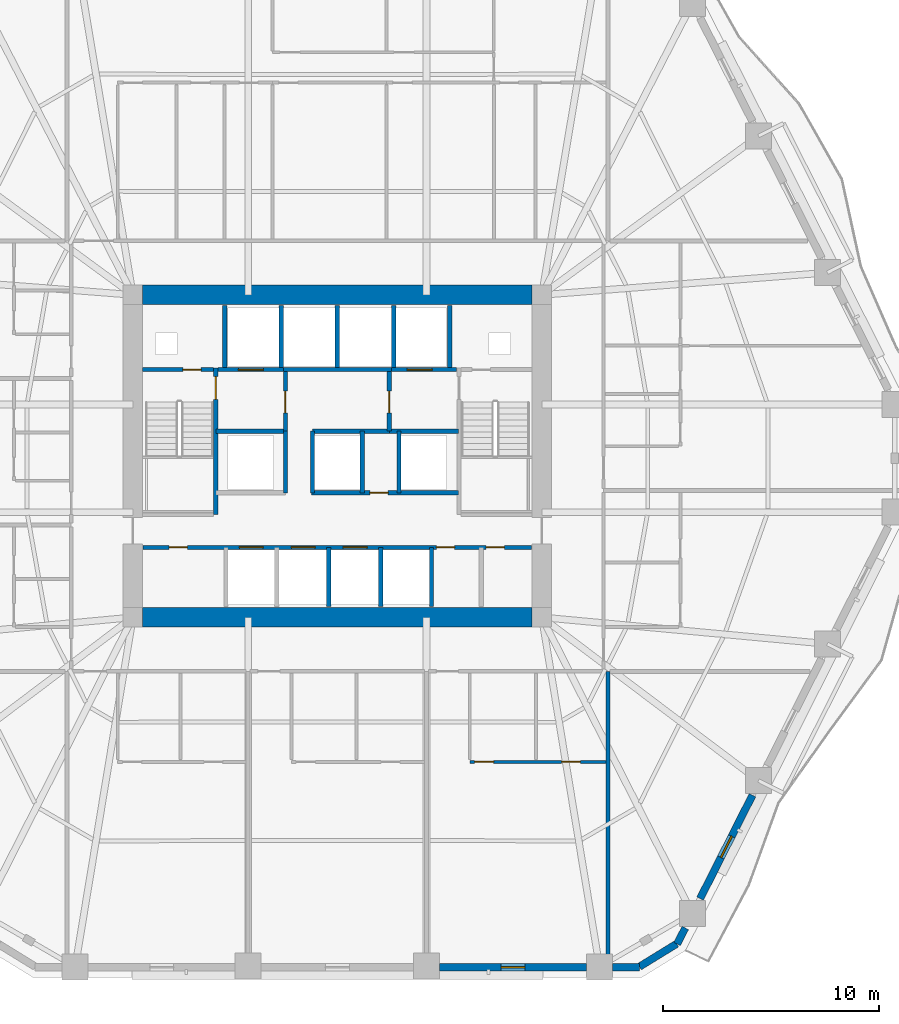
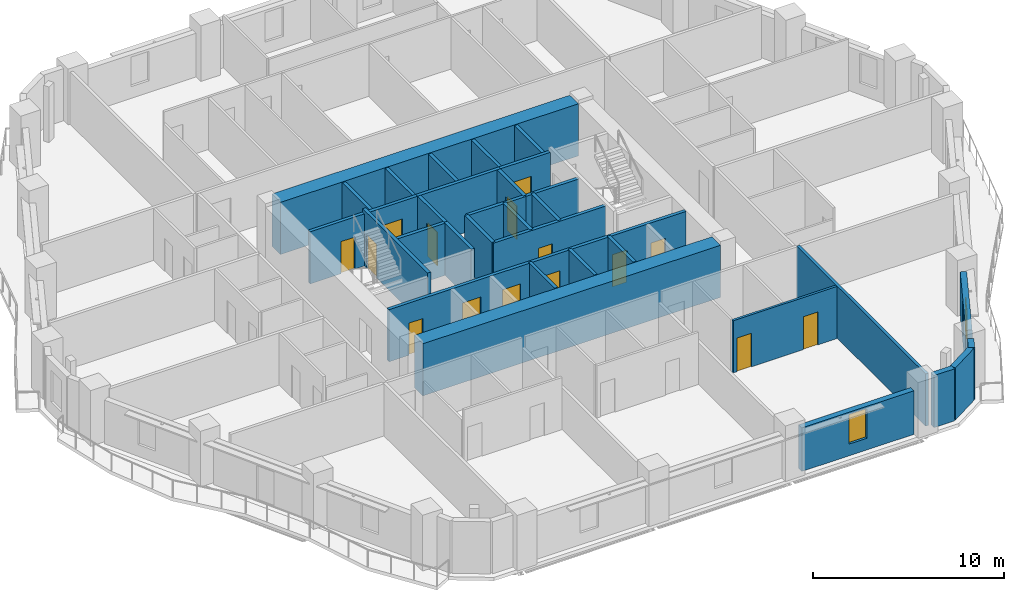
# One storey, part 5 of 14: 33 walls, 15 doors, 2 windows, 17 openings.
"""IFC4 building model written with IfcOpenShell, lengths in metres."""

from ifc_helpers import new_model, si_unit, direction, frame, frame_2d, origin, place, context, subcontext, project, spatial, rectangle, extrude, material, layer, layer_set, type_object, element, fill, save


model = new_model("IFC4")

# Units and contexts
model_context = context("Model", 3, precision=1e-05, world=origin(), true_north=direction((0.0, 1.0)))
body_context = subcontext(model_context, "Body", "Model", "MODEL_VIEW")
ifc_project = project(units=[si_unit("LENGTHUNIT", "METRE"), si_unit("AREAUNIT", "SQUARE_METRE"), si_unit("VOLUMEUNIT", "CUBIC_METRE"), si_unit("PLANEANGLEUNIT", "RADIAN"), si_unit("MASSUNIT", "GRAM", prefix="KILO")], contexts=[model_context])

# Site, building, storey
site_placement = place(None, origin())
site = spatial("IfcSite", under=ifc_project, at=site_placement, CompositionType="ELEMENT")
building_placement = place(site_placement, origin())
building = spatial("IfcBuilding", under=site, at=building_placement, Name="Cinnabar Lancet Tower", CompositionType="ELEMENT")
storey_placement = place(building_placement, frame((0.0, 0.0, 39.10009765625)))
storey = spatial("IfcBuildingStorey", under=building, at=storey_placement, Name="L09", CompositionType="ELEMENT", Elevation=39.10009765625)

# Wall
ifc_material_1 = material(Name="Fire-rated twin-frame acoustic drywall", Category="gypsum")
ifc_layer_1 = layer(ifc_material_1, 0.179931640625)
ifc_layer_set_1 = layer_set([ifc_layer_1], Name="Fire-rated twin-frame acoustic drywall")
wall_type_1 = type_object("IfcWallType", Name="ARC-WL-PARTY-180", PredefinedType="PARTITIONING", material=ifc_layer_set_1)
wall_1_placement = place(storey_placement, frame((44.89990234375, 2.455078125, 0.0), z_axis=(0.0, 0.0, 1.0), x_axis=(0.0, 1.0, 0.0)))
element("IfcWall", 1, at=wall_1_placement, inside=storey, type_object=wall_type_1, Name="PW-L09-SPTY-449", PredefinedType="PARTITIONING", context=body_context, shape_type="SweptSolid", body=[
    extrude(rectangle(XDim=13.494873046875, YDim=0.179931640625, at=frame_2d((6.74755859375, 0.0))), origin(), (0.0, 0.0, 1.0), 3.329833984375),
])

# Wall, opening, door
ifc_material_2 = material(Name="Autoclaved aerated concrete blockwork", Category="masonry")
ifc_layer_2 = layer(ifc_material_2, 0.199951171875)
ifc_layer_set_2 = layer_set([ifc_layer_2], Name="Autoclaved aerated concrete blockwork")
wall_type_2 = type_object("IfcWallType", Name="ARC-WL-SHAFT-200", PredefinedType="PLUMBINGWALL", material=ifc_layer_set_2)
wall_2_placement = place(storey_placement, frame((23.405029296875, 29.89990234375, 0.0), z_axis=(0.0, 0.0, 1.0), x_axis=(1.0, 0.0, 0.0)))
wall_2 = element("IfcWall", 2, at=wall_2_placement, inside=storey, type_object=wall_type_2, Name="CW-NSH-W-L09", PredefinedType="PLUMBINGWALL", context=body_context, shape_type="SweptSolid", body=[
    extrude(rectangle(XDim=3.27001953125, YDim=0.199951171875, at=frame_2d((1.635009765625, 0.0))), origin(), (0.0, 0.0, 1.0), 3.329833984375),
])
opening_1_placement = place(wall_2_placement, frame((1.85009765625, 0.0, 0.0)))
opening_1 = element("IfcOpeningElement", 3, at=opening_1_placement, cuts=wall_2, Name="Opening PD-02", PredefinedType="OPENING", context=body_context, shape_type="SweptSolid", body=[
    extrude(rectangle(XDim=0.85009765625, YDim=2.050048828125, at=frame_2d((0.425048828125, 1.02490234375))), frame((0.0, 0.10986328125, 0.0), z_axis=(0.0, -1.0, 0.0), x_axis=(1.0, 0.0, 0.0)), (0.0, 0.0, 1.0), 0.219970703125),
])
ifc_material_3 = material(Name="Fire-rated steel riser access door", Category="steel")
door_type_1 = type_object("IfcDoorType", Name="ARC-DR-RISER", OperationType="NOTDEFINED", PredefinedType="DOOR", material=ifc_material_3)
door_1_placement = place(opening_1_placement, origin())
door_1 = element("IfcDoor", 4, at=door_1_placement, inside=storey, type_object=door_type_1, Name="L09 West Riser Access Door", OperationType="SINGLE_SWING_LEFT", OverallHeight=2.050048828125, OverallWidth=0.85009765625, PredefinedType="DOOR", context=body_context, shape_type="SweptSolid", body=[
    extrude(rectangle(XDim=0.85009765625, YDim=2.050048828125, at=frame_2d((0.425048828125, 1.02490234375))), frame((0.0, 0.02490234375, 0.0), z_axis=(0.0, -1.0, 0.0), x_axis=(1.0, 0.0, 0.0)), (0.0, 0.0, 1.0), 0.050048828125),
])
fill(opening_1, door_1)

wall_3_placement = place(storey_placement, frame((26.885009765625, 29.89990234375, 0.0), z_axis=(0.0, 0.0, 1.0), x_axis=(1.0, 0.0, 0.0)))
wall_3 = element("IfcWall", 5, at=wall_3_placement, inside=storey, type_object=wall_type_2, Name="CW-FL1-L09", PredefinedType="PLUMBINGWALL", context=body_context, shape_type="SweptSolid", body=[
    extrude(rectangle(XDim=3.014892578125, YDim=0.199951171875, at=frame_2d((1.50732421875, 0.0))), origin(), (0.0, 0.0, 1.0), 3.329833984375),
])
opening_2_placement = place(wall_3_placement, frame((0.93994140625, 0.0, 0.0)))
opening_2 = element("IfcOpeningElement", 6, at=opening_2_placement, cuts=wall_3, Name="Opening LD-02", PredefinedType="OPENING", context=body_context, shape_type="SweptSolid", body=[
    extrude(rectangle(XDim=1.14990234375, YDim=2.199951171875, at=frame_2d((0.574951171875, 1.10009765625))), frame((0.0, 0.10986328125, 0.0), z_axis=(0.0, -1.0, 0.0), x_axis=(1.0, 0.0, 0.0)), (0.0, 0.0, 1.0), 0.219970703125),
])
ifc_material_4 = material(Name="Fire-rated stainless steel firefighting lift landing door", Category="steel")
door_type_2 = type_object("IfcDoorType", Name="ARC-DR-LD-FIRE", OperationType="NOTDEFINED", PredefinedType="DOOR", material=ifc_material_4)
door_2_placement = place(opening_2_placement, origin())
door_2 = element("IfcDoor", 7, at=door_2_placement, inside=storey, type_object=door_type_2, Name="L09 Firefighting Lift FL-1 Landing Door", OperationType="DOUBLE_DOOR_SLIDING", OverallHeight=2.199951171875, OverallWidth=1.14990234375, PredefinedType="DOOR", context=body_context, shape_type="SweptSolid", body=[
    extrude(rectangle(XDim=1.14990234375, YDim=2.199951171875, at=frame_2d((0.574951171875, 1.10009765625))), frame((0.0, 0.02490234375, 0.0), z_axis=(0.0, -1.0, 0.0), x_axis=(1.0, 0.0, 0.0)), (0.0, 0.0, 1.0), 0.050048828125),
])
fill(opening_2, door_2)

# Wall
wall_4_placement = place(storey_placement, frame((29.89990234375, 29.89990234375, 0.0), z_axis=(0.0, 0.0, 1.0), x_axis=(1.0, 0.0, 0.0)))
element("IfcWall", 8, at=wall_4_placement, inside=storey, type_object=wall_type_2, Name="CW-PL78-L09", PredefinedType="PLUMBINGWALL", context=body_context, shape_type="SweptSolid", body=[
    extrude(rectangle(XDim=5.0, YDim=0.199951171875, at=frame_2d((2.5, 0.0))), origin(), (0.0, 0.0, 1.0), 3.329833984375),
])

# Wall, opening, door
wall_5_placement = place(storey_placement, frame((34.89990234375, 29.89990234375, 0.0), z_axis=(0.0, 0.0, 1.0), x_axis=(1.0, 0.0, 0.0)))
wall_5 = element("IfcWall", 9, at=wall_5_placement, inside=storey, type_object=wall_type_2, Name="CW-FL2-L09", PredefinedType="PLUMBINGWALL", context=body_context, shape_type="SweptSolid", body=[
    extrude(rectangle(XDim=3.01513671875, YDim=0.199951171875, at=frame_2d((1.507568359375, 0.0))), origin(), (0.0, 0.0, 1.0), 3.329833984375),
])
opening_3_placement = place(wall_5_placement, frame((0.72509765625, 0.0, 0.0)))
opening_3 = element("IfcOpeningElement", 10, at=opening_3_placement, cuts=wall_5, Name="Opening LD-02", PredefinedType="OPENING", context=body_context, shape_type="SweptSolid", body=[
    extrude(rectangle(XDim=1.14990234375, YDim=2.199951171875, at=frame_2d((0.574951171875, 1.10009765625))), frame((0.0, 0.10986328125, 0.0), z_axis=(0.0, -1.0, 0.0), x_axis=(1.0, 0.0, 0.0)), (0.0, 0.0, 1.0), 0.219970703125),
])
door_3_placement = place(opening_3_placement, origin())
door_3 = element("IfcDoor", 11, at=door_3_placement, inside=storey, type_object=door_type_2, Name="L09 Firefighting Lift FL-2 Landing Door", OperationType="DOUBLE_DOOR_SLIDING", OverallHeight=2.199951171875, OverallWidth=1.14990234375, PredefinedType="DOOR", context=body_context, shape_type="SweptSolid", body=[
    extrude(rectangle(XDim=1.14990234375, YDim=2.199951171875, at=frame_2d((0.574951171875, 1.10009765625))), frame((0.0, 0.02490234375, 0.0), z_axis=(0.0, -1.0, 0.0), x_axis=(1.0, 0.0, 0.0)), (0.0, 0.0, 1.0), 0.050048828125),
])
fill(opening_3, door_3)

# Walls
for number, where, z_axis, x_axis, name in (
    (12, (27.199951171875, 30.0, 0.0), (0.0, 0.0, 1.0), (0.0, 1.0, 0.0), "CW-NSH-D1-L09"),
    (13, (29.800048828125, 30.0, 0.0), (0.0, 0.0, 1.0), (0.0, 1.0, 0.0), "CW-NSH-D2-L09"),
    (14, (32.39990234375, 30.0, 0.0), (0.0, 0.0, 1.0), (0.0, 1.0, 0.0), "CW-NSH-D3-L09"),
    (15, (35.0, 30.0, 0.0), (0.0, 0.0, 1.0), (0.0, 1.0, 0.0), "CW-NSH-D4-L09"),
    (16, (37.60009765625, 30.0, 0.0), (0.0, 0.0, 1.0), (0.0, 1.0, 0.0), "CW-NSH-D5-L09"),
):
    element("IfcWall", number, at=place(storey_placement, frame(where, z_axis=z_axis, x_axis=x_axis)), inside=storey, type_object=wall_type_2, Name=name, PredefinedType="PLUMBINGWALL", context=body_context, shape_type="SweptSolid", body=[
        extrude(rectangle(XDim=2.85009765625, YDim=0.199951171875, at=frame_2d((1.425048828125, 0.0))), origin(), (0.0, 0.0, 1.0), 3.329833984375),
    ])

# Wall, opening, door
wall_6_placement = place(storey_placement, frame((30.0, 27.050048828125, 0.0), z_axis=(0.0, 0.0, 1.0), x_axis=(0.0, 1.0, 0.0)))
wall_6 = element("IfcWall", 17, at=wall_6_placement, inside=storey, type_object=wall_type_2, Name="CW-FF1E-L09", PredefinedType="PLUMBINGWALL", context=body_context, shape_type="SweptSolid", body=[
    extrude(rectangle(XDim=2.75, YDim=0.199951171875, at=frame_2d((1.375, 0.0))), origin(), (0.0, 0.0, 1.0), 3.329833984375),
])
opening_4_placement = place(wall_6_placement, frame((0.85009765625, 0.0, 0.0)))
opening_4 = element("IfcOpeningElement", 18, at=opening_4_placement, cuts=wall_6, Name="Opening FD-01", PredefinedType="OPENING", context=body_context, shape_type="SweptSolid", body=[
    extrude(rectangle(XDim=1.0, YDim=2.14990234375, at=frame_2d((0.5, 1.074951171875))), frame((0.0, 0.10986328125, 0.0), z_axis=(0.0, -1.0, 0.0), x_axis=(1.0, 0.0, 0.0)), (0.0, 0.0, 1.0), 0.219970703125),
])
ifc_material_5 = material(Name="Fire-rated timber-core lobby door", Category="wood")
door_type_3 = type_object("IfcDoorType", Name="ARC-DR-FFAL", OperationType="NOTDEFINED", PredefinedType="DOOR", material=ifc_material_5)
door_4_placement = place(opening_4_placement, origin())
door_4 = element("IfcDoor", 19, at=door_4_placement, inside=storey, type_object=door_type_3, Name="L09 FFAL-1 Lobby Fire Door", OperationType="SINGLE_SWING_RIGHT", OverallHeight=2.14990234375, OverallWidth=1.0, PredefinedType="DOOR", context=body_context, shape_type="SweptSolid", body=[
    extrude(rectangle(XDim=1.0, YDim=2.14990234375, at=frame_2d((0.5, 1.074951171875))), frame((0.0, 0.02490234375, 0.0), z_axis=(0.0, -1.0, 0.0), x_axis=(1.0, 0.0, 0.0)), (0.0, 0.0, 1.0), 0.050048828125),
])
fill(opening_4, door_4)

# Wall
wall_7_placement = place(storey_placement, frame((26.800048828125, 27.050048828125, 0.0), z_axis=(0.0, 0.0, 1.0), x_axis=(1.0, 0.0, 0.0)))
element("IfcWall", 20, at=wall_7_placement, inside=storey, type_object=wall_type_2, Name="CW-FF1S-L09", PredefinedType="PLUMBINGWALL", context=body_context, shape_type="SweptSolid", body=[
    extrude(rectangle(XDim=3.199951171875, YDim=0.199951171875, at=frame_2d((1.60009765625, 0.0))), origin(), (0.0, 0.0, 1.0), 3.329833984375),
])

# Wall, opening, door
wall_8_placement = place(storey_placement, frame((34.800048828125, 27.050048828125, 0.0), z_axis=(0.0, 0.0, 1.0), x_axis=(0.0, 1.0, 0.0)))
wall_8 = element("IfcWall", 21, at=wall_8_placement, inside=storey, type_object=wall_type_2, Name="CW-FF2W-L09", PredefinedType="PLUMBINGWALL", context=body_context, shape_type="SweptSolid", body=[
    extrude(rectangle(XDim=2.75, YDim=0.199951171875, at=frame_2d((1.375, 0.0))), origin(), (0.0, 0.0, 1.0), 3.329833984375),
])
opening_5_placement = place(wall_8_placement, frame((0.85009765625, 0.0, 0.0)))
opening_5 = element("IfcOpeningElement", 22, at=opening_5_placement, cuts=wall_8, Name="Opening FD-01", PredefinedType="OPENING", context=body_context, shape_type="SweptSolid", body=[
    extrude(rectangle(XDim=1.0, YDim=2.14990234375, at=frame_2d((0.5, 1.074951171875))), frame((0.0, 0.10986328125, 0.0), z_axis=(0.0, -1.0, 0.0), x_axis=(1.0, 0.0, 0.0)), (0.0, 0.0, 1.0), 0.219970703125),
])
door_5_placement = place(opening_5_placement, origin())
door_5 = element("IfcDoor", 23, at=door_5_placement, inside=storey, type_object=door_type_3, Name="L09 FFAL-2 Lobby Fire Door", OperationType="SINGLE_SWING_LEFT", OverallHeight=2.14990234375, OverallWidth=1.0, PredefinedType="DOOR", context=body_context, shape_type="SweptSolid", body=[
    extrude(rectangle(XDim=1.0, YDim=2.14990234375, at=frame_2d((0.5, 1.074951171875))), frame((0.0, 0.02490234375, 0.0), z_axis=(0.0, -1.0, 0.0), x_axis=(1.0, 0.0, 0.0)), (0.0, 0.0, 1.0), 0.050048828125),
])
fill(opening_5, door_5)

# Walls
wall_9_placement = place(storey_placement, frame((34.800048828125, 27.050048828125, 0.0), z_axis=(0.0, 0.0, 1.0), x_axis=(1.0, 0.0, 0.0)))
element("IfcWall", 24, at=wall_9_placement, inside=storey, type_object=wall_type_2, Name="CW-FF2S-L09", PredefinedType="PLUMBINGWALL", context=body_context, shape_type="SweptSolid", body=[
    extrude(rectangle(XDim=3.199951171875, YDim=0.199951171875, at=frame_2d((1.60009765625, 0.0))), origin(), (0.0, 0.0, 1.0), 3.329833984375),
])
wall_10_placement = place(storey_placement, frame((30.0, 24.199951171875, 0.0), z_axis=(0.0, 0.0, 1.0), x_axis=(0.0, 1.0, 0.0)))
element("IfcWall", 25, at=wall_10_placement, inside=storey, type_object=wall_type_2, Name="CW-PL5E-L09", PredefinedType="PLUMBINGWALL", context=body_context, shape_type="SweptSolid", body=[
    extrude(rectangle(XDim=2.85009765625, YDim=0.199951171875, at=frame_2d((1.425048828125, 0.0))), origin(), (0.0, 0.0, 1.0), 3.329833984375),
])

# Wall, opening, door
wall_11_placement = place(storey_placement, frame((31.199951171875, 24.199951171875, 0.0), z_axis=(0.0, 0.0, 1.0), x_axis=(1.0, 0.0, 0.0)))
wall_11 = element("IfcWall", 26, at=wall_11_placement, inside=storey, type_object=wall_type_2, Name="CW-PL96S-L09", PredefinedType="PLUMBINGWALL", context=body_context, shape_type="SweptSolid", body=[
    extrude(rectangle(XDim=6.800048828125, YDim=0.199951171875, at=frame_2d((3.39990234375, 0.0))), origin(), (0.0, 0.0, 1.0), 3.329833984375),
])
opening_6_placement = place(wall_11_placement, frame((2.699951171875, 0.0, 0.0)))
opening_6 = element("IfcOpeningElement", 27, at=opening_6_placement, cuts=wall_11, Name="Opening PD-02", PredefinedType="OPENING", context=body_context, shape_type="SweptSolid", body=[
    extrude(rectangle(XDim=0.85009765625, YDim=2.050048828125, at=frame_2d((0.425048828125, 1.02490234375))), frame((0.0, 0.10986328125, 0.0), z_axis=(0.0, -1.0, 0.0), x_axis=(1.0, 0.0, 0.0)), (0.0, 0.0, 1.0), 0.219970703125),
])
door_6_placement = place(opening_6_placement, origin())
door_6 = element("IfcDoor", 28, at=door_6_placement, inside=storey, type_object=door_type_1, Name="L09 BMS Closet Door", OperationType="SINGLE_SWING_LEFT", OverallHeight=2.050048828125, OverallWidth=0.85009765625, PredefinedType="DOOR", context=body_context, shape_type="SweptSolid", body=[
    extrude(rectangle(XDim=0.85009765625, YDim=2.050048828125, at=frame_2d((0.425048828125, 1.02490234375))), frame((0.0, 0.02490234375, 0.0), z_axis=(0.0, -1.0, 0.0), x_axis=(1.0, 0.0, 0.0)), (0.0, 0.0, 1.0), 0.050048828125),
])
fill(opening_6, door_6)

# Walls
for number, where, z_axis, x_axis, name in (
    (29, (31.25, 24.199951171875, 0.0), (0.0, 0.0, 1.0), (0.0, 1.0, 0.0), "CW-PL9W-L09"),
    (30, (33.550048828125, 24.199951171875, 0.0), (0.0, 0.0, 1.0), (0.0, 1.0, 0.0), "CW-PL9E-L09"),
    (31, (35.25, 24.199951171875, 0.0), (0.0, 0.0, 1.0), (0.0, 1.0, 0.0), "CW-PL6W-L09"),
):
    element("IfcWall", number, at=place(storey_placement, frame(where, z_axis=z_axis, x_axis=x_axis)), inside=storey, type_object=wall_type_2, Name=name, PredefinedType="PLUMBINGWALL", context=body_context, shape_type="SweptSolid", body=[
        extrude(rectangle(XDim=2.85009765625, YDim=0.199951171875, at=frame_2d((1.425048828125, 0.0))), origin(), (0.0, 0.0, 1.0), 3.329833984375),
    ])
wall_12_placement = place(storey_placement, frame((31.25, 27.050048828125, 0.0), z_axis=(0.0, 0.0, 1.0), x_axis=(1.0, 0.0, 0.0)))
element("IfcWall", 32, at=wall_12_placement, inside=storey, type_object=wall_type_2, Name="CW-PL96N-L09", PredefinedType="PLUMBINGWALL", context=body_context, shape_type="SweptSolid", body=[
    extrude(rectangle(XDim=3.550048828125, YDim=0.199951171875, at=frame_2d((1.77490234375, 0.0))), origin(), (0.0, 0.0, 1.0), 3.329833984375),
])

# Wall, openings, doors
wall_13_placement = place(storey_placement, frame((23.419921875, 21.679931640625, 0.0), z_axis=(0.0, 0.0, 1.0), x_axis=(1.0, 0.0, 0.0)))
wall_13 = element("IfcWall", 33, at=wall_13_placement, inside=storey, type_object=wall_type_2, Name="CW-SBANDN-L09", PredefinedType="PLUMBINGWALL", context=body_context, shape_type="SweptSolid", body=[
    extrude(rectangle(XDim=17.9599609375, YDim=0.199951171875, at=frame_2d((8.97998046875, 0.0))), origin(), (0.0, 0.0, 1.0), 3.329833984375),
])
opening_7_placement = place(wall_13_placement, frame((4.449951171875, 0.0, 0.0)))
opening_7 = element("IfcOpeningElement", 34, at=opening_7_placement, cuts=wall_13, Name="Opening LD-01", PredefinedType="OPENING", context=body_context, shape_type="SweptSolid", body=[
    extrude(rectangle(XDim=1.10009765625, YDim=2.199951171875, at=frame_2d((0.550048828125, 1.10009765625))), frame((0.0, 0.10986328125, 0.0), z_axis=(0.0, -1.0, 0.0), x_axis=(1.0, 0.0, 0.0)), (0.0, 0.0, 1.0), 0.219970703125),
])
opening_8_placement = place(wall_13_placement, frame((6.85009765625, 0.0, 0.0)))
opening_8 = element("IfcOpeningElement", 35, at=opening_8_placement, cuts=wall_13, Name="Opening LD-01", PredefinedType="OPENING", context=body_context, shape_type="SweptSolid", body=[
    extrude(rectangle(XDim=1.10009765625, YDim=2.199951171875, at=frame_2d((0.550048828125, 1.10009765625))), frame((0.0, 0.10986328125, 0.0), z_axis=(0.0, -1.0, 0.0), x_axis=(1.0, 0.0, 0.0)), (0.0, 0.0, 1.0), 0.219970703125),
])
opening_9_placement = place(wall_13_placement, frame((9.25, 0.0, 0.0)))
opening_9 = element("IfcOpeningElement", 36, at=opening_9_placement, cuts=wall_13, Name="Opening LD-01", PredefinedType="OPENING", context=body_context, shape_type="SweptSolid", body=[
    extrude(rectangle(XDim=1.10009765625, YDim=2.199951171875, at=frame_2d((0.550048828125, 1.10009765625))), frame((0.0, 0.10986328125, 0.0), z_axis=(0.0, -1.0, 0.0), x_axis=(1.0, 0.0, 0.0)), (0.0, 0.0, 1.0), 0.219970703125),
])
opening_10_placement = place(wall_13_placement, frame((1.199951171875, 0.0, 0.0)))
opening_10 = element("IfcOpeningElement", 37, at=opening_10_placement, cuts=wall_13, Name="Opening PD-02", PredefinedType="OPENING", context=body_context, shape_type="SweptSolid", body=[
    extrude(rectangle(XDim=0.85009765625, YDim=2.050048828125, at=frame_2d((0.425048828125, 1.02490234375))), frame((0.0, 0.10986328125, 0.0), z_axis=(0.0, -1.0, 0.0), x_axis=(1.0, 0.0, 0.0)), (0.0, 0.0, 1.0), 0.219970703125),
])
opening_11_placement = place(wall_13_placement, frame((13.550048828125, 0.0, 0.0)))
opening_11 = element("IfcOpeningElement", 38, at=opening_11_placement, cuts=wall_13, Name="Opening PD-02", PredefinedType="OPENING", context=body_context, shape_type="SweptSolid", body=[
    extrude(rectangle(XDim=0.85009765625, YDim=2.050048828125, at=frame_2d((0.425048828125, 1.02490234375))), frame((0.0, 0.10986328125, 0.0), z_axis=(0.0, -1.0, 0.0), x_axis=(1.0, 0.0, 0.0)), (0.0, 0.0, 1.0), 0.219970703125),
])
opening_12_placement = place(wall_13_placement, frame((15.85009765625, 0.0, 0.0)))
opening_12 = element("IfcOpeningElement", 39, at=opening_12_placement, cuts=wall_13, Name="Opening PD-02", PredefinedType="OPENING", context=body_context, shape_type="SweptSolid", body=[
    extrude(rectangle(XDim=0.85009765625, YDim=2.050048828125, at=frame_2d((0.425048828125, 1.02490234375))), frame((0.0, 0.10986328125, 0.0), z_axis=(0.0, -1.0, 0.0), x_axis=(1.0, 0.0, 0.0)), (0.0, 0.0, 1.0), 0.219970703125),
])
ifc_material_6 = material(Name="Brushed stainless steel sliding lift door", Category="steel")
door_type_4 = type_object("IfcDoorType", Name="ARC-DR-LD-PASS", OperationType="NOTDEFINED", PredefinedType="DOOR", material=ifc_material_6)
door_7_placement = place(opening_7_placement, origin())
door_7 = element("IfcDoor", 40, at=door_7_placement, inside=storey, type_object=door_type_4, Name="L09 Lift PL-1 Landing Door", OperationType="DOUBLE_DOOR_SLIDING", OverallHeight=2.199951171875, OverallWidth=1.10009765625, PredefinedType="DOOR", context=body_context, shape_type="SweptSolid", body=[
    extrude(rectangle(XDim=1.10009765625, YDim=2.199951171875, at=frame_2d((0.550048828125, 1.10009765625))), frame((0.0, 0.02490234375, 0.0), z_axis=(0.0, -1.0, 0.0), x_axis=(1.0, 0.0, 0.0)), (0.0, 0.0, 1.0), 0.050048828125),
])
fill(opening_7, door_7)
door_8_placement = place(opening_8_placement, origin())
door_8 = element("IfcDoor", 41, at=door_8_placement, inside=storey, type_object=door_type_4, Name="L09 Lift PL-2 Landing Door", OperationType="DOUBLE_DOOR_SLIDING", OverallHeight=2.199951171875, OverallWidth=1.10009765625, PredefinedType="DOOR", context=body_context, shape_type="SweptSolid", body=[
    extrude(rectangle(XDim=1.10009765625, YDim=2.199951171875, at=frame_2d((0.550048828125, 1.10009765625))), frame((0.0, 0.02490234375, 0.0), z_axis=(0.0, -1.0, 0.0), x_axis=(1.0, 0.0, 0.0)), (0.0, 0.0, 1.0), 0.050048828125),
])
fill(opening_8, door_8)
door_9_placement = place(opening_9_placement, origin())
door_9 = element("IfcDoor", 42, at=door_9_placement, inside=storey, type_object=door_type_4, Name="L09 Lift PL-3 Landing Door", OperationType="DOUBLE_DOOR_SLIDING", OverallHeight=2.199951171875, OverallWidth=1.10009765625, PredefinedType="DOOR", context=body_context, shape_type="SweptSolid", body=[
    extrude(rectangle(XDim=1.10009765625, YDim=2.199951171875, at=frame_2d((0.550048828125, 1.10009765625))), frame((0.0, 0.02490234375, 0.0), z_axis=(0.0, -1.0, 0.0), x_axis=(1.0, 0.0, 0.0)), (0.0, 0.0, 1.0), 0.050048828125),
])
fill(opening_9, door_9)
door_10_placement = place(opening_10_placement, origin())
door_10 = element("IfcDoor", 43, at=door_10_placement, inside=storey, type_object=door_type_1, Name="DR-L09-SW1", OperationType="SINGLE_SWING_LEFT", OverallHeight=2.050048828125, OverallWidth=0.85009765625, PredefinedType="DOOR", context=body_context, shape_type="SweptSolid", body=[
    extrude(rectangle(XDim=0.85009765625, YDim=2.050048828125, at=frame_2d((0.425048828125, 1.02490234375))), frame((0.0, 0.02490234375, 0.0), z_axis=(0.0, -1.0, 0.0), x_axis=(1.0, 0.0, 0.0)), (0.0, 0.0, 1.0), 0.050048828125),
])
fill(opening_10, door_10)
door_11_placement = place(opening_11_placement, origin())
door_11 = element("IfcDoor", 44, at=door_11_placement, inside=storey, type_object=door_type_1, Name="DR-L09-SE1", OperationType="SINGLE_SWING_LEFT", OverallHeight=2.050048828125, OverallWidth=0.85009765625, PredefinedType="DOOR", context=body_context, shape_type="SweptSolid", body=[
    extrude(rectangle(XDim=0.85009765625, YDim=2.050048828125, at=frame_2d((0.425048828125, 1.02490234375))), frame((0.0, 0.02490234375, 0.0), z_axis=(0.0, -1.0, 0.0), x_axis=(1.0, 0.0, 0.0)), (0.0, 0.0, 1.0), 0.050048828125),
])
fill(opening_11, door_11)
door_12_placement = place(opening_12_placement, origin())
door_12 = element("IfcDoor", 45, at=door_12_placement, inside=storey, type_object=door_type_1, Name="DR-L09-SE2", OperationType="SINGLE_SWING_RIGHT", OverallHeight=2.050048828125, OverallWidth=0.85009765625, PredefinedType="DOOR", context=body_context, shape_type="SweptSolid", body=[
    extrude(rectangle(XDim=0.85009765625, YDim=2.050048828125, at=frame_2d((0.425048828125, 1.02490234375))), frame((0.0, 0.02490234375, 0.0), z_axis=(0.0, -1.0, 0.0), x_axis=(1.0, 0.0, 0.0)), (0.0, 0.0, 1.0), 0.050048828125),
])
fill(opening_12, door_12)

# Walls
for number, where, z_axis, x_axis, name in (
    (46, (32.0, 18.949951171875, 0.0), (0.0, 0.0, 1.0), (0.0, 1.0, 0.0), "CW-SB-3200-L09"),
    (47, (34.39990234375, 18.949951171875, 0.0), (0.0, 0.0, 1.0), (0.0, 1.0, 0.0), "CW-SB-3440-L09"),
    (48, (36.75, 18.949951171875, 0.0), (0.0, 0.0, 1.0), (0.0, 1.0, 0.0), "CW-SB-3675-L09"),
):
    element("IfcWall", number, at=place(storey_placement, frame(where, z_axis=z_axis, x_axis=x_axis)), inside=storey, type_object=wall_type_2, Name=name, PredefinedType="PLUMBINGWALL", context=body_context, shape_type="SweptSolid", body=[
        extrude(rectangle(XDim=2.72998046875, YDim=0.199951171875, at=frame_2d((1.364990234375, 0.0))), origin(), (0.0, 0.0, 1.0), 3.329833984375),
    ])

# Wall, openings, doors
ifc_material_7 = material(Name="Moisture-resistant cement-board plumbing wall", Category="masonry")
ifc_layer_3 = layer(ifc_material_7, 0.139892578125)
ifc_layer_set_3 = layer_set([ifc_layer_3], Name="Moisture-resistant cement-board plumbing wall")
wall_type_3 = type_object("IfcWallType", Name="ARC-WL-WET-140", PredefinedType="PLUMBINGWALL", material=ifc_layer_set_3)
wall_14_placement = place(storey_placement, frame((38.52197265625, 11.76708984375, 0.0), z_axis=(0.0, 0.0, 1.0), x_axis=(1.0, 0.0, 0.0)))
wall_14 = element("IfcWall", 49, at=wall_14_placement, inside=storey, type_object=wall_type_3, Name="UW-L09-S03-SPL", PredefinedType="PLUMBINGWALL", context=body_context, shape_type="SweptSolid", body=[
    extrude(rectangle(XDim=6.282958984375, YDim=0.139892578125, at=frame_2d((3.1416015625, 0.0))), origin(), (0.0, 0.0, 1.0), 3.329833984375),
])
opening_13_placement = place(wall_14_placement, frame((4.2470703125, 0.0, 0.0)))
opening_13 = element("IfcOpeningElement", 50, at=opening_13_placement, cuts=wall_14, Name="Opening BD-01", PredefinedType="OPENING", context=body_context, shape_type="SweptSolid", body=[
    extrude(rectangle(XDim=0.860107421875, YDim=2.10009765625, at=frame_2d((0.43017578125, 1.050048828125))), frame((0.0, 0.079833984375, 0.0), z_axis=(0.0, -1.0, 0.0), x_axis=(1.0, 0.0, 0.0)), (0.0, 0.0, 1.0), 0.159912109375),
])
opening_14_placement = place(wall_14_placement, frame((0.219970703125, 0.0, 0.0)))
opening_14 = element("IfcOpeningElement", 51, at=opening_14_placement, cuts=wall_14, Name="Opening RD-02", PredefinedType="OPENING", context=body_context, shape_type="SweptSolid", body=[
    extrude(rectangle(XDim=0.8798828125, YDim=2.14990234375, at=frame_2d((0.43994140625, 1.074951171875))), frame((0.0, 0.079833984375, 0.0), z_axis=(0.0, -1.0, 0.0), x_axis=(1.0, 0.0, 0.0)), (0.0, 0.0, 1.0), 0.159912109375),
])
ifc_material_8 = material(Name="Moisture-resistant timber bathroom door", Category="wood")
door_type_5 = type_object("IfcDoorType", Name="ARC-DR-BATH", OperationType="NOTDEFINED", PredefinedType="DOOR", material=ifc_material_8)
door_13_placement = place(opening_13_placement, origin())
door_13 = element("IfcDoor", 52, at=door_13_placement, inside=storey, type_object=door_type_5, Name="DR-L09-S03-BTH", OperationType="SINGLE_SWING_LEFT", OverallHeight=2.10009765625, OverallWidth=0.860107421875, PredefinedType="DOOR", context=body_context, shape_type="SweptSolid", body=[
    extrude(rectangle(XDim=0.860107421875, YDim=2.10009765625, at=frame_2d((0.43017578125, 1.050048828125))), frame((0.0, 0.02490234375, 0.0), z_axis=(0.0, -1.0, 0.0), x_axis=(1.0, 0.0, 0.0)), (0.0, 0.0, 1.0), 0.050048828125),
])
fill(opening_13, door_13)
ifc_material_9 = material(Name="Engineered timber study door", Category="wood")
door_type_6 = type_object("IfcDoorType", Name="ARC-DR-STUDY", OperationType="NOTDEFINED", PredefinedType="DOOR", material=ifc_material_9)
door_14_placement = place(opening_14_placement, origin())
door_14 = element("IfcDoor", 53, at=door_14_placement, inside=storey, type_object=door_type_6, Name="DR-L09-S03-KIT", OperationType="SINGLE_SWING_RIGHT", OverallHeight=2.14990234375, OverallWidth=0.8798828125, PredefinedType="DOOR", context=body_context, shape_type="SweptSolid", body=[
    extrude(rectangle(XDim=0.8798828125, YDim=2.14990234375, at=frame_2d((0.43994140625, 1.074951171875))), frame((0.0, 0.02490234375, 0.0), z_axis=(0.0, -1.0, 0.0), x_axis=(1.0, 0.0, 0.0)), (0.0, 0.0, 1.0), 0.050048828125),
])
fill(opening_14, door_14)

# Wall
ifc_material_10 = material(Name="Cinnabar red clay brick", Category="masonry")
ifc_layer_4 = layer(ifc_material_10, 0.340087890625)
ifc_layer_set_4 = layer_set([ifc_layer_4], Name="Cinnabar red clay brick")
wall_type_4 = type_object("IfcWallType", Name="ENV-WL-BRK-RED-340", PredefinedType="STANDARD", material=ifc_layer_set_4)
wall_15_placement = place(storey_placement, frame((46.361083984375, 2.304931640625, 0.0), z_axis=(0.0, 0.0, 1.0), x_axis=(0.851816122478, 0.523840904748, 0.0)))
element("IfcWall", 54, at=wall_15_placement, inside=storey, type_object=wall_type_4, Name="L09 Chamfered Corner Brick Pier 2.1", PredefinedType="STANDARD", context=body_context, shape_type="SweptSolid", body=[
    extrude(rectangle(XDim=2.01806640625, YDim=0.340087890625, at=frame_2d((1.009033203125, 0.0))), origin(), (0.0, 0.0, 1.0), 3.329833984375),
])

# Wall, opening, window
wall_16_placement = place(storey_placement, frame((37.1259765625, 2.280029296875, 0.0), z_axis=(0.0, 0.0, 1.0), x_axis=(1.0, 0.0, 0.0)))
wall_16 = element("IfcWall", 55, at=wall_16_placement, inside=storey, type_object=wall_type_4, Name="L09 Face 1 Masonry Bay Wall 4", PredefinedType="STANDARD", context=body_context, shape_type="SweptSolid", body=[
    extrude(rectangle(XDim=6.787109375, YDim=0.340087890625, at=frame_2d((3.3935546875, 0.0))), origin(), (0.0, 0.0, 1.0), 2.786865234375),
])
opening_15_placement = place(wall_16_placement, frame((2.843017578125, 0.0, 0.75)))
opening_15 = element("IfcOpeningElement", 56, at=opening_15_placement, cuts=wall_16, Name="Opening WN-04", PredefinedType="OPENING", context=body_context, shape_type="SweptSolid", body=[
    extrude(rectangle(XDim=1.10009765625, YDim=1.886962890625, at=frame_2d((0.550048828125, 0.943359375))), frame((0.0, 0.179931640625, 0.0), z_axis=(0.0, -1.0, 0.0), x_axis=(1.0, 0.0, 0.0)), (0.0, 0.0, 1.0), 0.360107421875),
])
ifc_material_11 = material(Name="Thermally broken bronze-anodized aluminium tall lancet window", Category="aluminium")
window_type = type_object("IfcWindowType", Name="ENV-WN-LANCET-1100", PartitioningType="SINGLE_PANEL", PredefinedType="WINDOW", material=ifc_material_11)
window_1_placement = place(opening_15_placement, origin())
window_1 = element("IfcWindow", 57, at=window_1_placement, inside=storey, type_object=window_type, Name="L09 Face 1 Gothic Lancet Window 4", OverallHeight=1.886962890625, OverallWidth=1.10009765625, PartitioningType="SINGLE_PANEL", PredefinedType="WINDOW", context=body_context, shape_type="SweptSolid", body=[
    extrude(rectangle(XDim=1.10009765625, YDim=1.886962890625, at=frame_2d((0.550048828125, 0.943359375))), frame((0.0, 0.030029296875, 0.0), z_axis=(0.0, -1.0, 0.0), x_axis=(1.0, 0.0, 0.0)), (0.0, 0.0, 1.0), 0.06005859375),
])
fill(opening_15, window_1)

# Walls
wall_17_placement = place(storey_placement, frame((45.12109375, 2.280029296875, 0.0), z_axis=(0.0, 0.0, 1.0), x_axis=(1.0, 0.0, 0.0)))
element("IfcWall", 58, at=wall_17_placement, inside=storey, type_object=wall_type_4, Name="L09 Face 1 Masonry Bay Wall 5", PredefinedType="STANDARD", context=body_context, shape_type="SweptSolid", body=[
    extrude(rectangle(XDim=1.244873046875, YDim=0.340087890625, at=frame_2d((0.62255859375, 0.0))), origin(), (0.0, 0.0, 1.0), 3.329833984375),
])
wall_18_placement = place(storey_placement, frame((48.10009765625, 3.345947265625, 0.0), z_axis=(0.0, 0.0, 1.0), x_axis=(0.45187807258, 0.892079709175, 0.0)))
element("IfcWall", 59, at=wall_18_placement, inside=storey, type_object=wall_type_4, Name="L09 Face 2 Masonry Bay Wall 1", PredefinedType="STANDARD", context=body_context, shape_type="SweptSolid", body=[
    extrude(rectangle(XDim=0.83642578125, YDim=0.340087890625, at=frame_2d((0.418212890625, 0.0))), origin(), (0.0, 0.0, 1.0), 3.329833984375),
])

# Wall, opening, window
wall_19_placement = place(storey_placement, frame((49.166015625, 5.4541015625, 0.0), z_axis=(0.0, 0.0, 1.0), x_axis=(0.451697561555, 0.892171123095, 0.0)))
wall_19 = element("IfcWall", 60, at=wall_19_placement, inside=storey, type_object=wall_type_4, Name="L09 Face 2 Masonry Bay Wall 2", PredefinedType="STANDARD", context=body_context, shape_type="SweptSolid", body=[
    extrude(rectangle(XDim=5.350830078125, YDim=0.340087890625, at=frame_2d((2.67529296875, 0.0))), origin(), (0.0, 0.0, 1.0), 2.786865234375),
])
opening_16_placement = place(wall_19_placement, frame((2.125, 0.0, 0.75)))
opening_16 = element("IfcOpeningElement", 61, at=opening_16_placement, cuts=wall_19, Name="Opening WN-04", PredefinedType="OPENING", context=body_context, shape_type="SweptSolid", body=[
    extrude(rectangle(XDim=1.10009765625, YDim=1.886962890625, at=frame_2d((0.550048828125, 0.943359375))), frame((0.0, 0.179931640625, 0.0), z_axis=(0.0, -1.0, 0.0), x_axis=(1.0, 0.0, 0.0)), (0.0, 0.0, 1.0), 0.360107421875),
])
window_2_placement = place(opening_16_placement, origin())
window_2 = element("IfcWindow", 62, at=window_2_placement, inside=storey, type_object=window_type, Name="L09 Face 2 Gothic Lancet Window 2", OverallHeight=1.886962890625, OverallWidth=1.10009765625, PartitioningType="SINGLE_PANEL", PredefinedType="WINDOW", context=body_context, shape_type="SweptSolid", body=[
    extrude(rectangle(XDim=1.10009765625, YDim=1.886962890625, at=frame_2d((0.550048828125, 0.943359375))), frame((0.0, 0.030029296875, 0.0), z_axis=(0.0, -1.0, 0.0), x_axis=(1.0, 0.0, 0.0)), (0.0, 0.0, 1.0), 0.06005859375),
])
fill(opening_16, window_2)

# Walls
ifc_material_12 = material(Name="Concrete C80/95", Category="concrete")
ifc_layer_5 = layer(ifc_material_12, 0.89990234375)
ifc_layer_set_5 = layer_set([ifc_layer_5], Name="Concrete C80/95")
wall_type_5 = type_object("IfcWallType", Name="STR-WL-CORE-900", PredefinedType="SHEAR", material=ifc_layer_set_5)
for number, where, z_axis, x_axis, name in (
    (63, (23.39990234375, 18.449951171875, 0.0), (0.0, 0.0, 1.0), (1.0, 0.0, 0.0), "L09 Core Shear Wall S"),
    (64, (23.39990234375, 33.35009765625, 0.0), (0.0, 0.0, 1.0), (1.0, 0.0, 0.0), "L09 Core Shear Wall N"),
):
    element("IfcWall", number, at=place(storey_placement, frame(where, z_axis=z_axis, x_axis=x_axis)), inside=storey, type_object=wall_type_5, Name=name, PredefinedType="SHEAR", context=body_context, shape_type="SweptSolid", body=[
        extrude(rectangle(XDim=18.0, YDim=0.89990234375, at=frame_2d((9.0, 0.0))), origin(), (0.0, 0.0, 1.0), 3.329833984375),
    ])

# Wall, opening, door
ifc_material_13 = material(Name="Concrete C50/60", Category="concrete")
ifc_layer_6 = layer(ifc_material_13, 0.199951171875)
ifc_layer_set_6 = layer_set([ifc_layer_6], Name="Concrete C50/60")
wall_type_6 = type_object("IfcWallType", Name="STR-WL-STAIR-200", PredefinedType="SHEAR", material=ifc_layer_set_6)
wall_20_placement = place(storey_placement, frame((26.780029296875, 23.199951171875, 0.0), z_axis=(0.0, 0.0, 1.0), x_axis=(0.0, 1.0, 0.0)))
wall_20 = element("IfcWall", 65, at=wall_20_placement, inside=storey, type_object=wall_type_6, Name="L09 Stair ST-1 Structural Enclosure Wall", PredefinedType="SHEAR", context=body_context, shape_type="SweptSolid", body=[
    extrude(rectangle(XDim=6.780029296875, YDim=0.199951171875, at=frame_2d((3.39013671875, 0.0))), origin(), (0.0, 0.0, 1.0), 3.5498046875),
])
opening_17_placement = place(wall_20_placement, frame((5.320068359375, 0.0, 0.0)))
opening_17 = element("IfcOpeningElement", 66, at=opening_17_placement, cuts=wall_20, Name="Opening SD-01", PredefinedType="OPENING", context=body_context, shape_type="SweptSolid", body=[
    extrude(rectangle(XDim=1.050048828125, YDim=2.14990234375, at=frame_2d((0.52490234375, 1.074951171875))), frame((0.0, 0.10986328125, 0.0), z_axis=(0.0, -1.0, 0.0), x_axis=(1.0, 0.0, 0.0)), (0.0, 0.0, 1.0), 0.219970703125),
])
ifc_material_14 = material(Name="Fire-rated steel stair exit door", Category="steel")
door_type_7 = type_object("IfcDoorType", Name="ARC-DR-STAIR", OperationType="NOTDEFINED", PredefinedType="DOOR", material=ifc_material_14)
door_15_placement = place(opening_17_placement, origin())
door_15 = element("IfcDoor", 67, at=door_15_placement, inside=storey, type_object=door_type_7, Name="L09 Stair ST-1 Fire Door", OperationType="SINGLE_SWING_LEFT", OverallHeight=2.14990234375, OverallWidth=1.050048828125, PredefinedType="DOOR", context=body_context, shape_type="SweptSolid", body=[
    extrude(rectangle(XDim=1.050048828125, YDim=2.14990234375, at=frame_2d((0.52490234375, 1.074951171875))), frame((0.0, 0.02490234375, 0.0), z_axis=(0.0, -1.0, 0.0), x_axis=(1.0, 0.0, 0.0)), (0.0, 0.0, 1.0), 0.050048828125),
])
fill(opening_17, door_15)

save(model, "model.ifc")
